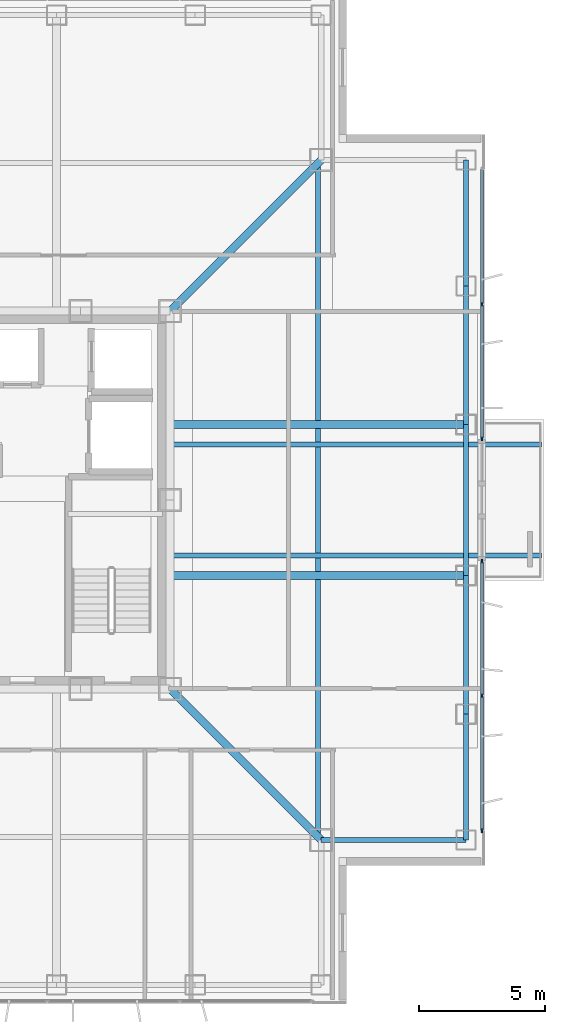
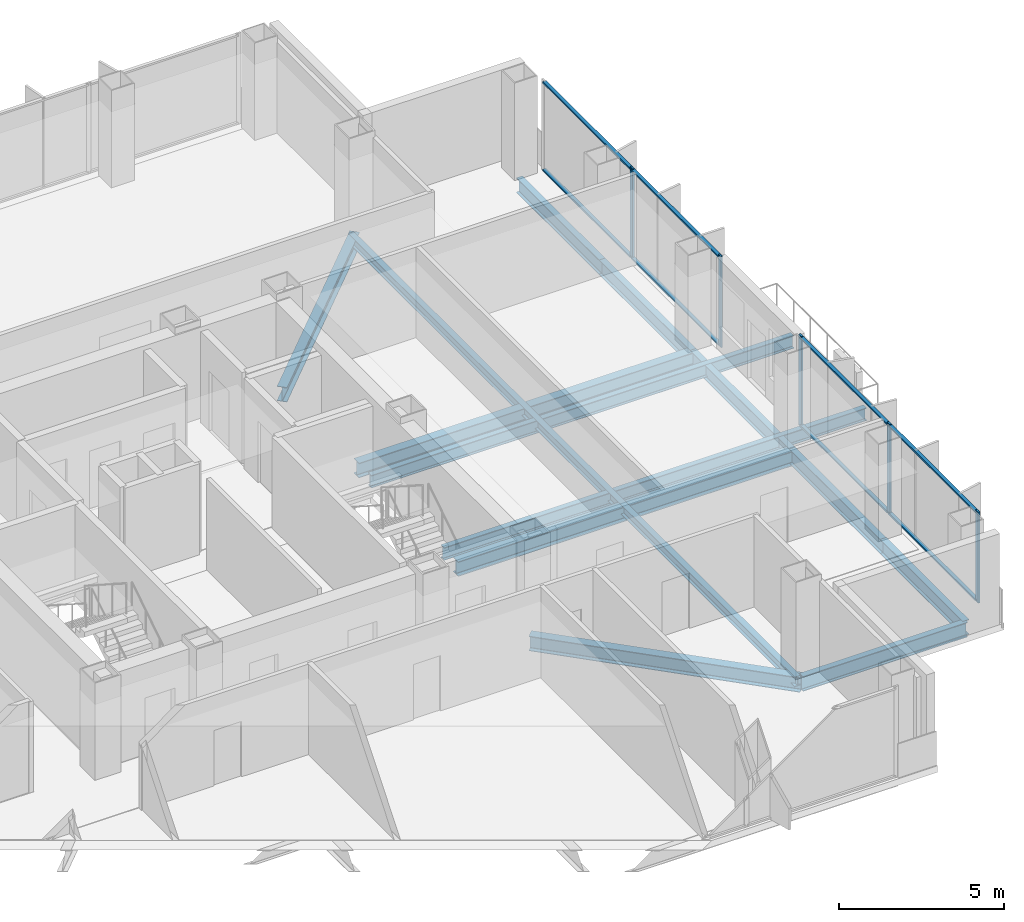
# One storey, part 6 of 15: 13 beams, 13 members, 2 elements without a shape of their own.
"""IFC4 building model written with IfcOpenShell, lengths in metres."""

from ifc_helpers import new_model, si_unit, direction, frame, origin, origin_2d, place, context, subcontext, project, spatial, rectangle, i_section, extrude, material, layer, layer_set, material_profile, profile_set, type_object, element, aggregate, save


model = new_model("IFC4")

# Units and contexts
model_context = context("Model", 3, precision=1e-05, world=origin(), true_north=direction((0.0, 1.0)))
body_context = subcontext(model_context, "Body", "Model", "MODEL_VIEW")
ifc_project = project(units=[si_unit("LENGTHUNIT", "METRE"), si_unit("AREAUNIT", "SQUARE_METRE"), si_unit("VOLUMEUNIT", "CUBIC_METRE"), si_unit("PLANEANGLEUNIT", "RADIAN"), si_unit("MASSUNIT", "GRAM", prefix="KILO")], contexts=[model_context])

# Site, building, storey
site_placement = place(None, origin())
site = spatial("IfcSite", under=ifc_project, at=site_placement, CompositionType="ELEMENT")
building_placement = place(site_placement, origin())
building = spatial("IfcBuilding", under=site, at=building_placement, Name="Trevonay Congress Spire", CompositionType="ELEMENT")
storey_placement = place(building_placement, frame((0.0, 0.0, 216.60009765625)))
storey = spatial("IfcBuildingStorey", under=building, at=storey_placement, Name="L56", CompositionType="ELEMENT", Elevation=216.60009765625)

# Beams
ifc_material_1 = material(Name="Steel ASTM A572 Grade 50", Category="steel")
ifc_material_profile_1 = material_profile(ifc_material_1, i_section(OverallWidth=0.194091796875, OverallDepth=0.468994140625, WebThickness=0.011474609375, FlangeThickness=0.01953125, FilletRadius=0.013916015625, at=origin_2d()), Name="W460x106")
ifc_profile_set_1 = profile_set([ifc_material_profile_1], Name="Steel ASTM A572 Grade 50")
beam_type_1 = type_object("IfcBeamType", Name="BM-BAL-LOOKOUT", PredefinedType="BEAM", material=ifc_profile_set_1)
for number, where, z_axis, x_axis, name in (
    (1, (7.5, -2.199951171875, -0.474609375), (1.0, 0.0, 0.0), (0.0, 1.0, 0.0), "L56 structural beam LKT-L56-E1"),
    (2, (7.5, 2.199951171875, -0.474609375), (1.0, 0.0, 0.0), (0.0, 1.0, 0.0), "L56 structural beam LKT-L56-E2"),
):
    element("IfcBeam", number, at=place(storey_placement, frame(where, z_axis=z_axis, x_axis=x_axis)), inside=storey, type_object=beam_type_1, Name=name, PredefinedType="BEAM", context=body_context, shape_type="SweptSolid", body=[
        extrude(i_section(OverallWidth=0.194091796875, OverallDepth=0.468994140625, WebThickness=0.011474609375, FlangeThickness=0.01953125, FilletRadius=0.013916015625, at=origin_2d()), origin(), (0.0, 0.0, 1.0), 14.75),
    ])
ifc_material_profile_2 = material_profile(ifc_material_1, i_section(OverallWidth=0.31201171875, OverallDepth=0.54296875, WebThickness=0.0126953125, FlangeThickness=0.020263671875, FilletRadius=0.014892578125, at=origin_2d()), Name="W530x150")
ifc_profile_set_2 = profile_set([ifc_material_profile_2], Name="Steel ASTM A572 Grade 50")
beam_type_2 = type_object("IfcBeamType", Name="BM-GIRD-W530X150", PredefinedType="BEAM", material=ifc_profile_set_2)
for number, where, z_axis, x_axis, name in (
    (3, (7.5, -7.5, -0.51171875), (0.707106781187, -0.707106781187, 0.0), (0.707106781187, 0.707106781187, 0.0), "L56 structural beam BM-L56-CDSE"),
    (4, (7.5, 7.5, -0.51171875), (0.707106781187, 0.707106781187, 0.0), (-0.707106781187, 0.707106781187, 0.0), "L56 structural beam BM-L56-CDNE"),
):
    element("IfcBeam", number, at=place(storey_placement, frame(where, z_axis=z_axis, x_axis=x_axis)), inside=storey, type_object=beam_type_2, Name=name, PredefinedType="BEAM", context=body_context, shape_type="SweptSolid", body=[
        extrude(i_section(OverallWidth=0.31201171875, OverallDepth=0.54296875, WebThickness=0.0126953125, FlangeThickness=0.020263671875, FilletRadius=0.014892578125, at=origin_2d()), origin(), (0.0, 0.0, 1.0), 8.4853515625),
    ])
for number, where, z_axis, x_axis, name in (
    (5, (7.5, -3.0, -0.51171875), (1.0, 0.0, 0.0), (0.0, 1.0, 0.0), "L56 structural beam BM-L56-GE-M"),
    (6, (7.5, 3.0, -0.51171875), (1.0, 0.0, 0.0), (0.0, 1.0, 0.0), "L56 structural beam BM-L56-GE-P"),
):
    element("IfcBeam", number, at=place(storey_placement, frame(where, z_axis=z_axis, x_axis=x_axis)), inside=storey, type_object=beam_type_2, Name=name, PredefinedType="BEAM", context=body_context, shape_type="SweptSolid", body=[
        extrude(i_section(OverallWidth=0.31201171875, OverallDepth=0.54296875, WebThickness=0.0126953125, FlangeThickness=0.020263671875, FilletRadius=0.014892578125, at=origin_2d()), origin(), (0.0, 0.0, 1.0), 11.75),
    ])
ifc_material_profile_3 = material_profile(ifc_material_1, i_section(OverallWidth=0.2119140625, OverallDepth=0.5439453125, WebThickness=0.01318359375, FlangeThickness=0.021240234375, FilletRadius=0.014892578125, at=origin_2d()), Name="W530x123")
ifc_profile_set_3 = profile_set([ifc_material_profile_3], Name="Steel ASTM A572 Grade 50")
beam_type_3 = type_object("IfcBeamType", Name="BM-RING-W530X123", PredefinedType="BEAM", material=ifc_profile_set_3)
beam_1_placement = place(storey_placement, frame((19.25, -13.5, -0.51220703125), z_axis=(0.0, 1.0, 0.0), x_axis=(-1.0, 0.0, 0.0)))
element("IfcBeam", 7, at=beam_1_placement, inside=storey, type_object=beam_type_3, Name="L56 structural beam BM-L56-PE1", PredefinedType="BEAM", context=body_context, shape_type="SweptSolid", body=[
    extrude(i_section(OverallWidth=0.2119140625, OverallDepth=0.5439453125, WebThickness=0.01318359375, FlangeThickness=0.021240234375, FilletRadius=0.014892578125, at=origin_2d()), origin(), (0.0, 0.0, 1.0), 5.0),
])
beam_2_placement = place(storey_placement, frame((19.25, -8.5, -0.51220703125), z_axis=(0.0, 1.0, 0.0), x_axis=(-1.0, 0.0, 0.0)))
element("IfcBeam", 8, at=beam_2_placement, inside=storey, type_object=beam_type_3, Name="L56 structural beam BM-L56-PE2", PredefinedType="BEAM", context=body_context, shape_type="SweptSolid", body=[
    extrude(i_section(OverallWidth=0.2119140625, OverallDepth=0.5439453125, WebThickness=0.01318359375, FlangeThickness=0.021240234375, FilletRadius=0.014892578125, at=origin_2d()), origin(), (0.0, 0.0, 1.0), 5.5),
])
beam_3_placement = place(storey_placement, frame((19.25, -3.0, -0.51220703125), z_axis=(0.0, 1.0, 0.0), x_axis=(-1.0, 0.0, 0.0)))
element("IfcBeam", 9, at=beam_3_placement, inside=storey, type_object=beam_type_3, Name="L56 structural beam BM-L56-PE3", PredefinedType="BEAM", context=body_context, shape_type="SweptSolid", body=[
    extrude(i_section(OverallWidth=0.2119140625, OverallDepth=0.5439453125, WebThickness=0.01318359375, FlangeThickness=0.021240234375, FilletRadius=0.014892578125, at=origin_2d()), origin(), (0.0, 0.0, 1.0), 6.0),
])
beam_4_placement = place(storey_placement, frame((19.25, 3.0, -0.51220703125), z_axis=(0.0, 1.0, 0.0), x_axis=(-1.0, 0.0, 0.0)))
element("IfcBeam", 10, at=beam_4_placement, inside=storey, type_object=beam_type_3, Name="L56 structural beam BM-L56-PE4", PredefinedType="BEAM", context=body_context, shape_type="SweptSolid", body=[
    extrude(i_section(OverallWidth=0.2119140625, OverallDepth=0.5439453125, WebThickness=0.01318359375, FlangeThickness=0.021240234375, FilletRadius=0.014892578125, at=origin_2d()), origin(), (0.0, 0.0, 1.0), 5.5),
])
beam_5_placement = place(storey_placement, frame((19.25, 8.5, -0.51220703125), z_axis=(0.0, 1.0, 0.0), x_axis=(-1.0, 0.0, 0.0)))
element("IfcBeam", 11, at=beam_5_placement, inside=storey, type_object=beam_type_3, Name="L56 structural beam BM-L56-PE5", PredefinedType="BEAM", context=body_context, shape_type="SweptSolid", body=[
    extrude(i_section(OverallWidth=0.2119140625, OverallDepth=0.5439453125, WebThickness=0.01318359375, FlangeThickness=0.021240234375, FilletRadius=0.014892578125, at=origin_2d()), origin(), (0.0, 0.0, 1.0), 5.0),
])
beam_6_placement = place(storey_placement, frame((19.25, -13.5, -0.51220703125), z_axis=(-1.0, 0.0, 0.0), x_axis=(0.0, -1.0, 0.0)))
element("IfcBeam", 12, at=beam_6_placement, inside=storey, type_object=beam_type_3, Name="L56 structural beam BM-L56-N2SE", PredefinedType="BEAM", context=body_context, shape_type="SweptSolid", body=[
    extrude(i_section(OverallWidth=0.2119140625, OverallDepth=0.5439453125, WebThickness=0.01318359375, FlangeThickness=0.021240234375, FilletRadius=0.014892578125, at=origin_2d()), origin(), (0.0, 0.0, 1.0), 5.75),
])

# Curtain wall, members
ifc_material_2 = material(Name="Pale Anodised Aluminium EN AW-6063-T6", Category="aluminium")
ifc_layer = layer(ifc_material_2, 0.169921875, Name="Pale Anodised Aluminium EN AW-6063-T6")
ifc_layer_set = layer_set([ifc_layer], Name="Pale Anodised Aluminium EN AW-6063-T6")
curtain_wall_type = type_object("IfcCurtainWallType", Name="CW-SYS04-CORP-PALE-METAL", PredefinedType="NOTDEFINED", material=ifc_layer_set)
curtain_wall_1_placement = place(storey_placement, origin())
curtain_wall_1 = element("IfcCurtainWall", 13, at=curtain_wall_1_placement, inside=storey, type_object=curtain_wall_type, Name="L56 EA unitised curtain wall", PredefinedType="NOTDEFINED")
ifc_material_profile_4 = material_profile(ifc_material_2, rectangle(XDim=0.06005859375, YDim=0.159912109375, at=origin_2d()), Name="CW-MULLION-160-ALUMINIUM")
ifc_profile_set_4 = profile_set([ifc_material_profile_4], Name="Pale Anodised Aluminium EN AW-6063-T6")
member_type_1 = type_object("IfcMemberType", Name="CW-MULLION-160-ALUMINIUM", PredefinedType="MULLION", material=ifc_profile_set_4)
member_1_placement = place(storey_placement, frame((19.8798828125, -13.1201171875, 0.0), z_axis=(0.0, 0.0, 1.0), x_axis=(-1.0, 0.0, 0.0)))
member_1 = element("IfcMember", 14, at=member_1_placement, type_object=member_type_1, Name="CW04 mullion 1", PredefinedType="MULLION", context=body_context, shape_type="SweptSolid", body=[
    extrude(rectangle(XDim=0.06005859375, YDim=0.159912109375, at=origin_2d()), origin(), (0.0, 0.0, 1.0), 3.35986328125),
])
member_2_placement = place(storey_placement, frame((19.8798828125, -7.77490234375, 0.0), z_axis=(0.0, 0.0, 1.0), x_axis=(-1.0, 0.0, 0.0)))
member_2 = element("IfcMember", 15, at=member_2_placement, type_object=member_type_1, Name="CW04 mullion 2", PredefinedType="MULLION", context=body_context, shape_type="SweptSolid", body=[
    extrude(rectangle(XDim=0.06005859375, YDim=0.159912109375, at=origin_2d()), origin(), (0.0, 0.0, 1.0), 3.35986328125),
])
member_3_placement = place(storey_placement, frame((19.8798828125, -2.429931640625, 0.0), z_axis=(0.0, 0.0, 1.0), x_axis=(-1.0, 0.0, 0.0)))
member_3 = element("IfcMember", 16, at=member_3_placement, type_object=member_type_1, Name="CW04 mullion 3", PredefinedType="MULLION", context=body_context, shape_type="SweptSolid", body=[
    extrude(rectangle(XDim=0.06005859375, YDim=0.159912109375, at=origin_2d()), origin(), (0.0, 0.0, 1.0), 3.35986328125),
])

curtain_wall_2_placement = place(storey_placement, origin())
curtain_wall_2 = element("IfcCurtainWall", 17, at=curtain_wall_2_placement, inside=storey, type_object=curtain_wall_type, Name="L56 EB unitised curtain wall", PredefinedType="NOTDEFINED")
member_4_placement = place(storey_placement, frame((19.8798828125, 2.429931640625, 0.0), z_axis=(0.0, 0.0, 1.0), x_axis=(-1.0, 0.0, 0.0)))
member_4 = element("IfcMember", 18, at=member_4_placement, type_object=member_type_1, Name="CW04 mullion 1", PredefinedType="MULLION", context=body_context, shape_type="SweptSolid", body=[
    extrude(rectangle(XDim=0.06005859375, YDim=0.159912109375, at=origin_2d()), origin(), (0.0, 0.0, 1.0), 3.35986328125),
])
member_5_placement = place(storey_placement, frame((19.8798828125, 7.77490234375, 0.0), z_axis=(0.0, 0.0, 1.0), x_axis=(-1.0, 0.0, 0.0)))
member_5 = element("IfcMember", 19, at=member_5_placement, type_object=member_type_1, Name="CW04 mullion 2", PredefinedType="MULLION", context=body_context, shape_type="SweptSolid", body=[
    extrude(rectangle(XDim=0.06005859375, YDim=0.159912109375, at=origin_2d()), origin(), (0.0, 0.0, 1.0), 3.35986328125),
])

# Member
ifc_material_profile_5 = material_profile(ifc_material_2, rectangle(XDim=0.1201171875, YDim=0.06005859375, at=origin_2d()), Name="CW-TRANSOM-120-ALUMINIUM")
ifc_profile_set_5 = profile_set([ifc_material_profile_5], Name="Pale Anodised Aluminium EN AW-6063-T6")
member_type_2 = type_object("IfcMemberType", Name="CW-TRANSOM-120-ALUMINIUM", PredefinedType="USERDEFINED", material=ifc_profile_set_5)
member_6_placement = place(storey_placement, frame((19.8798828125, -13.090087890625, 0.059814453125), z_axis=(0.0, 1.0, 0.0), x_axis=(-1.0, 0.0, 0.0)))
member_6 = element("IfcMember", 20, at=member_6_placement, type_object=member_type_2, Name="CW04 transom 1.1", ObjectType="TRANSOM", PredefinedType="USERDEFINED", context=body_context, shape_type="SweptSolid", body=[
    extrude(rectangle(XDim=0.1201171875, YDim=0.06005859375, at=origin_2d()), origin(), (0.0, 0.0, 1.0), 5.28515625),
])

member_7_placement = place(storey_placement, frame((19.8798828125, -13.090087890625, 3.2998046875), z_axis=(0.0, 1.0, 0.0), x_axis=(-1.0, 0.0, 0.0)))
member_7 = element("IfcMember", 21, at=member_7_placement, type_object=member_type_2, Name="CW04 transom 1.2", ObjectType="TRANSOM", PredefinedType="USERDEFINED", context=body_context, shape_type="SweptSolid", body=[
    extrude(rectangle(XDim=0.1201171875, YDim=0.06005859375, at=origin_2d()), origin(), (0.0, 0.0, 1.0), 5.28515625),
])

member_8_placement = place(storey_placement, frame((19.8798828125, -7.7451171875, 0.059814453125), z_axis=(0.0, 1.0, 0.0), x_axis=(-1.0, 0.0, 0.0)))
member_8 = element("IfcMember", 22, at=member_8_placement, type_object=member_type_2, Name="CW04 transom 2.1", ObjectType="TRANSOM", PredefinedType="USERDEFINED", context=body_context, shape_type="SweptSolid", body=[
    extrude(rectangle(XDim=0.1201171875, YDim=0.06005859375, at=origin_2d()), origin(), (0.0, 0.0, 1.0), 5.28515625),
])

member_9_placement = place(storey_placement, frame((19.8798828125, -7.7451171875, 3.2998046875), z_axis=(0.0, 1.0, 0.0), x_axis=(-1.0, 0.0, 0.0)))
member_9 = element("IfcMember", 23, at=member_9_placement, type_object=member_type_2, Name="CW04 transom 2.2", ObjectType="TRANSOM", PredefinedType="USERDEFINED", context=body_context, shape_type="SweptSolid", body=[
    extrude(rectangle(XDim=0.1201171875, YDim=0.06005859375, at=origin_2d()), origin(), (0.0, 0.0, 1.0), 5.28515625),
])

aggregate(curtain_wall_1, [member_1, member_2, member_3, member_6, member_7, member_8, member_9])

member_10_placement = place(storey_placement, frame((19.8798828125, 2.4599609375, 0.059814453125), z_axis=(0.0, 1.0, 0.0), x_axis=(-1.0, 0.0, 0.0)))
member_10 = element("IfcMember", 24, at=member_10_placement, type_object=member_type_2, Name="CW04 transom 1.1", ObjectType="TRANSOM", PredefinedType="USERDEFINED", context=body_context, shape_type="SweptSolid", body=[
    extrude(rectangle(XDim=0.1201171875, YDim=0.06005859375, at=origin_2d()), origin(), (0.0, 0.0, 1.0), 5.28515625),
])

member_11_placement = place(storey_placement, frame((19.8798828125, 2.4599609375, 3.2998046875), z_axis=(0.0, 1.0, 0.0), x_axis=(-1.0, 0.0, 0.0)))
member_11 = element("IfcMember", 25, at=member_11_placement, type_object=member_type_2, Name="CW04 transom 1.2", ObjectType="TRANSOM", PredefinedType="USERDEFINED", context=body_context, shape_type="SweptSolid", body=[
    extrude(rectangle(XDim=0.1201171875, YDim=0.06005859375, at=origin_2d()), origin(), (0.0, 0.0, 1.0), 5.28515625),
])

member_12_placement = place(storey_placement, frame((19.8798828125, 7.804931640625, 0.059814453125), z_axis=(0.0, 1.0, 0.0), x_axis=(-1.0, 0.0, 0.0)))
member_12 = element("IfcMember", 26, at=member_12_placement, type_object=member_type_2, Name="CW04 transom 2.1", ObjectType="TRANSOM", PredefinedType="USERDEFINED", context=body_context, shape_type="SweptSolid", body=[
    extrude(rectangle(XDim=0.1201171875, YDim=0.06005859375, at=origin_2d()), origin(), (0.0, 0.0, 1.0), 5.28515625),
])

member_13_placement = place(storey_placement, frame((19.8798828125, 7.804931640625, 3.2998046875), z_axis=(0.0, 1.0, 0.0), x_axis=(-1.0, 0.0, 0.0)))
member_13 = element("IfcMember", 27, at=member_13_placement, type_object=member_type_2, Name="CW04 transom 2.2", ObjectType="TRANSOM", PredefinedType="USERDEFINED", context=body_context, shape_type="SweptSolid", body=[
    extrude(rectangle(XDim=0.1201171875, YDim=0.06005859375, at=origin_2d()), origin(), (0.0, 0.0, 1.0), 5.28515625),
])

aggregate(curtain_wall_2, [member_4, member_5, member_10, member_11, member_12, member_13])

# Beam
ifc_material_profile_6 = material_profile(ifc_material_1, i_section(OverallWidth=0.205078125, OverallDepth=0.35400390625, WebThickness=0.009521484375, FlangeThickness=0.016845703125, FilletRadius=0.011962890625, at=origin_2d()), Name="W360x79")
ifc_profile_set_6 = profile_set([ifc_material_profile_6], Name="Steel ASTM A572 Grade 50")
beam_type_4 = type_object("IfcBeamType", Name="JS-COMP-W360X79", PredefinedType="JOIST", material=ifc_profile_set_6)
beam_7_placement = place(storey_placement, frame((13.375, -13.5, -0.4169921875), z_axis=(0.0, 1.0, 0.0), x_axis=(-1.0, 0.0, 0.0)))
element("IfcBeam", 28, at=beam_7_placement, inside=storey, type_object=beam_type_4, Name="L56 structural beam JS-L56-RING-E", PredefinedType="JOIST", context=body_context, shape_type="SweptSolid", body=[
    extrude(i_section(OverallWidth=0.205078125, OverallDepth=0.35400390625, WebThickness=0.009521484375, FlangeThickness=0.016845703125, FilletRadius=0.011962890625, at=origin_2d()), origin(), (0.0, 0.0, 1.0), 27.0),
])

save(model, "model.ifc")
